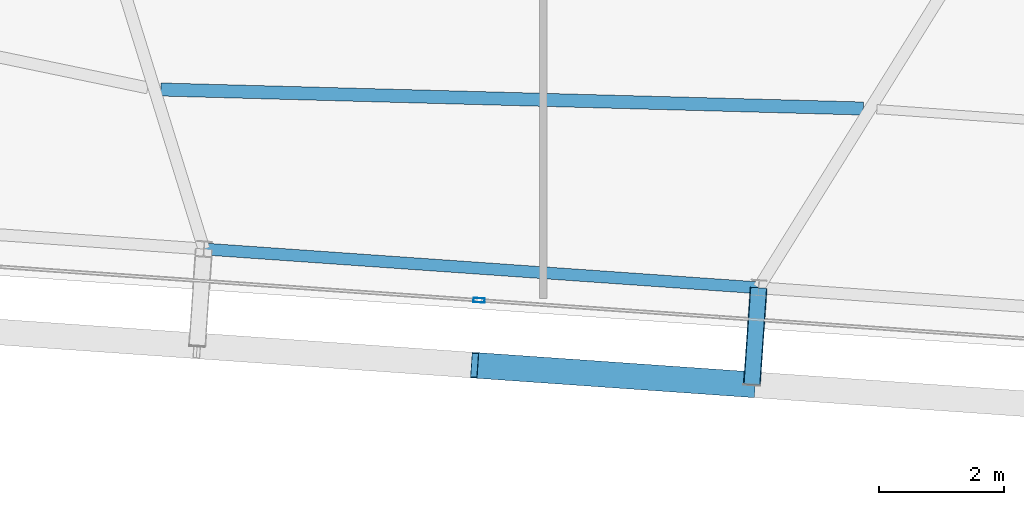
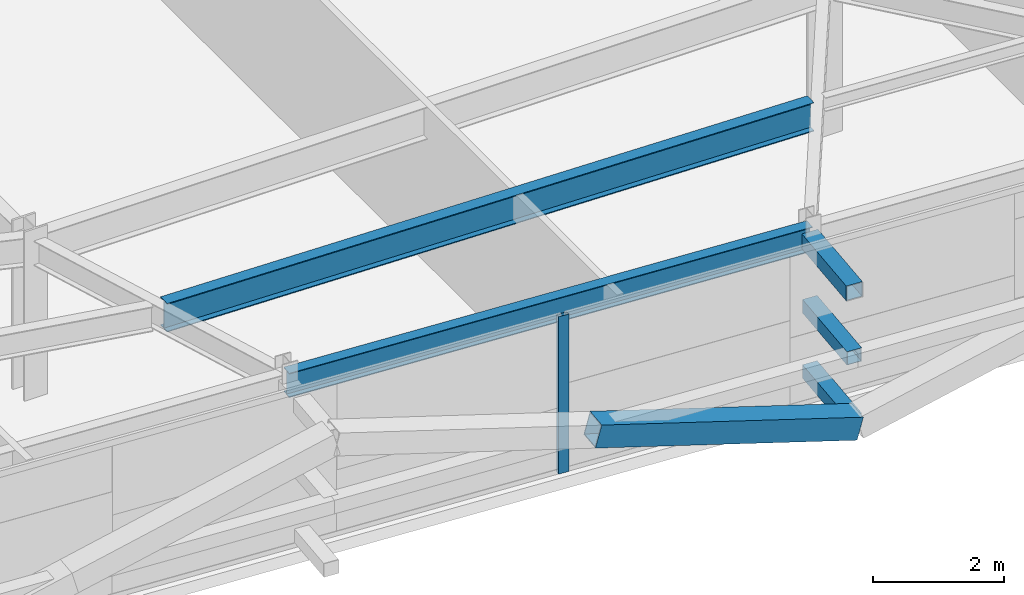
# One storey, part 9 of 39: 5 members, 2 beams, 1 element without a shape of its own.
"""IFC4 building model written with IfcOpenShell, lengths in metres."""

from ifc_helpers import new_model, si_unit, direction, frame, origin, origin_2d, place, context, subcontext, project, spatial, hollow_rectangle, i_section, extrude, source, transform, mapped, material, layer, layer_set, material_profile, profile_set, type_object, element, aggregate, save


model = new_model("IFC4")

# Units and contexts
model_context = context("Model", 3, precision=1e-05, world=origin(), true_north=direction((0.0, 1.0)))
body_context = subcontext(model_context, "Body", "Model", "MODEL_VIEW")
ifc_project = project(units=[si_unit("LENGTHUNIT", "METRE"), si_unit("AREAUNIT", "SQUARE_METRE"), si_unit("VOLUMEUNIT", "CUBIC_METRE"), si_unit("PLANEANGLEUNIT", "RADIAN"), si_unit("MASSUNIT", "GRAM", prefix="KILO")], contexts=[model_context])

# Site, building, storey
site_placement = place(None, origin())
site = spatial("IfcSite", under=ifc_project, at=site_placement, CompositionType="ELEMENT")
building_placement = place(site_placement, origin())
building = spatial("IfcBuilding", under=site, at=building_placement, Name="Taldren Reach Tower", CompositionType="ELEMENT")
storey_placement = place(building_placement, frame((0.0, 0.0, 148.75)))
storey = spatial("IfcBuildingStorey", under=building, at=storey_placement, Name="L45", CompositionType="ELEMENT", Elevation=148.75)

# Members
ifc_material_1 = material(Name="Steel Gr 450 (C450L0)", Category="steel")
ifc_material_profile_1 = material_profile(ifc_material_1, hollow_rectangle(XDim=0.27490234375, YDim=0.27490234375, WallThickness=0.00927734375, at=origin_2d()), Name="275x275x9.3SHS")
ifc_profile_set_1 = profile_set([ifc_material_profile_1], Name="Steel Gr 450 (C450L0)")
member_type_1 = type_object("IfcMemberType", Name="MB-TIE273", PredefinedType="STRUT", material=ifc_profile_set_1)
shared_shape_1 = source(origin(), body_context, "Body", "SweptSolid", [
    extrude(hollow_rectangle(XDim=0.27490234375, YDim=0.27490234375, WallThickness=0.00927734375, at=origin_2d()), origin(), (0.0, 0.0, 1.0), 1.550048828125),
])
member_1_placement = place(storey_placement, frame((38.438720703125, 3.480224609375, 2.64990234375), z_axis=(-0.06976957191, -0.99756313426, 0.0), x_axis=(0.99756313426, -0.06976957191, 0.0)))
element("IfcMember", 1, at=member_1_placement, inside=storey, type_object=member_type_1, Name="Exoskeleton diaphragm tie strut B3-S4 L45", PredefinedType="STRUT", context=body_context, shape_type="MappedRepresentation", body=[
    mapped(shared_shape_1, transform((0.0, 0.0, 0.0), scale=1.0)),
])
ifc_material_2 = material(Name="Steel Gr 350 (C350L0)", Category="steel")
ifc_material_profile_2 = material_profile(ifc_material_2, hollow_rectangle(XDim=0.25, YDim=0.25, WallThickness=0.010009765625, at=origin_2d()), Name="250x250x10.0SHS")
ifc_profile_set_2 = profile_set([ifc_material_profile_2], Name="Steel Gr 350 (C350L0)")
member_type_2 = type_object("IfcMemberType", Name="MB-POST250", PredefinedType="POST", material=ifc_profile_set_2)
shared_shape_2 = source(origin(), body_context, "Body", "SweptSolid", [
    extrude(hollow_rectangle(XDim=0.25, YDim=0.25, WallThickness=0.010009765625, at=origin_2d()), origin(), (0.0, 0.0, 1.0), 1.550048828125),
])
for number, where, z_axis, x_axis, name in (
    (2, (38.438720703125, 3.480224609375, 0.219970703125), (-0.06976957191, -0.99756313426, 0.0), (0.99756313426, -0.06976957191, 0.0), "Exoskeleton base diaphragm tie strut B3-S4 L45"),
    (3, (38.438720703125, 3.480224609375, 1.43505859375), (-0.06976957191, -0.99756313426, 0.0), (0.99756313426, -0.06976957191, 0.0), "Exoskeleton mid-tier diaphragm tie B3-S4 L45"),
):
    element("IfcMember", number, at=place(storey_placement, frame(where, z_axis=z_axis, x_axis=x_axis)), inside=storey, type_object=member_type_2, Name=name, PredefinedType="POST", context=body_context, shape_type="MappedRepresentation", body=[
        mapped(shared_shape_2, transform((0.0, 0.0, 0.0), scale=1.0)),
    ])

# Beams
ifc_material_3 = material(Name="Steel Gr 350 (350PLUS)", Category="steel")
ifc_material_profile_3 = material_profile(ifc_material_3, i_section(OverallWidth=0.18994140625, OverallDepth=0.4541015625, WebThickness=0.008544921875, FlangeThickness=0.0126953125, at=origin_2d()), Name="460UB67.1")
ifc_profile_set_3 = profile_set([ifc_material_profile_3], Name="Steel Gr 350 (350PLUS)")
beam_type_1 = type_object("IfcBeamType", Name="SP-UB460B", PredefinedType="SPANDREL", material=ifc_profile_set_3)
shared_shape_3 = source(origin(), body_context, "Body", "SweptSolid", [
    extrude(i_section(OverallWidth=0.18994140625, OverallDepth=0.4541015625, WebThickness=0.008544921875, FlangeThickness=0.0126953125, at=origin_2d()), origin(), (0.0, 0.0, 1.0), 8.880126953125),
])
beam_1_placement = place(storey_placement, frame((29.580322265625, 4.099609375, 2.702880859375), z_axis=(0.997564479639, -0.069750333063, 0.0), x_axis=(0.069750333063, 0.997564479639, 0.0)))
element("IfcBeam", 4, at=beam_1_placement, inside=storey, type_object=beam_type_1, Name="Perimeter spandrel B3 S3-S4 L45", PredefinedType="SPANDREL", context=body_context, shape_type="MappedRepresentation", body=[
    mapped(shared_shape_3, transform((0.0, 0.0, 0.0), scale=1.0)),
])
ifc_material_profile_4 = material_profile(ifc_material_3, i_section(OverallWidth=0.208984375, OverallDepth=0.532958984375, WebThickness=0.01025390625, FlangeThickness=0.015625, at=origin_2d()), Name="530UB92.4")
ifc_profile_set_4 = profile_set([ifc_material_profile_4], Name="Steel Gr 350 (350PLUS)")
beam_type_2 = type_object("IfcBeamType", Name="BM-UB530A", PredefinedType="BEAM", material=ifc_profile_set_4)
shared_shape_4 = source(origin(), body_context, "Body", "SweptSolid", [
    extrude(i_section(OverallWidth=0.208984375, OverallDepth=0.532958984375, WebThickness=0.01025390625, FlangeThickness=0.015625, at=origin_2d()), origin(), (0.0, 0.0, 1.0), 11.221923828125),
])
beam_2_placement = place(storey_placement, frame((28.890869140625, 6.64697265625, 2.66357421875), z_axis=(0.999633109536, -0.027085906272, 0.0), x_axis=(0.027085906272, 0.999633109536, 0.0)))
element("IfcBeam", 5, at=beam_2_placement, inside=storey, type_object=beam_type_2, Name="Secondary floor beam B3 J3 L45", PredefinedType="BEAM", context=body_context, shape_type="MappedRepresentation", body=[
    mapped(shared_shape_4, transform((0.0, 0.0, 0.0), scale=1.0)),
])

# Member
ifc_material_profile_5 = material_profile(ifc_material_1, hollow_rectangle(XDim=0.409912109375, YDim=0.409912109375, WallThickness=0.01611328125, at=origin_2d()), Name="410x410x16.0SHS")
ifc_profile_set_5 = profile_set([ifc_material_profile_5], Name="Steel Gr 450 (C450L0)")
member_type_3 = type_object("IfcMemberType", Name="MB-EXO406", PredefinedType="BRACE", material=ifc_profile_set_5)
shared_shape_5 = source(origin(), body_context, "Body", "SweptSolid", [
    extrude(hollow_rectangle(XDim=0.409912109375, YDim=0.409912109375, WallThickness=0.01611328125, at=origin_2d()), origin(), (0.0, 0.0, 1.0), 4.603271484375),
])
member_2_placement = place(storey_placement, frame((38.33056640625, 1.933837890625, 0.219970703125), z_axis=(-0.962182351074, 0.067302910567, 0.263961060594), x_axis=(-0.06977769246, -0.997562566276, 0.0)))
element("IfcMember", 6, at=member_2_placement, inside=storey, type_object=member_type_3, Name="Exoskeleton Diagrid Brace B3-S3 L45", PredefinedType="BRACE", context=body_context, shape_type="MappedRepresentation", body=[
    mapped(shared_shape_5, transform((0.0, 0.0, 0.0), scale=1.0)),
])

# Curtain wall, member
ifc_material_4 = material(Name="Aluminium and Low-E Glass Unitised System", Category="aluminium")
ifc_layer = layer(ifc_material_4, 0.159912109375)
ifc_layer_set = layer_set([ifc_layer], Name="Aluminium and Low-E Glass Unitised System")
curtain_wall_type = type_object("IfcCurtainWallType", Name="CW-SYS-4", PredefinedType="NOTDEFINED", material=ifc_layer_set)
curtain_wall_placement = place(storey_placement, origin())
curtain_wall = element("IfcCurtainWall", 7, at=curtain_wall_placement, inside=storey, type_object=curtain_wall_type, Name="Unitised curtain wall CW-L45-S", PredefinedType="NOTDEFINED")
ifc_material_5 = material(Name="Anodised Aluminium 6063-T6", Category="aluminium")
ifc_material_profile_6 = material_profile(ifc_material_5, hollow_rectangle(XDim=0.070068359375, YDim=0.179931640625, WallThickness=0.00390625, at=origin_2d()), Name="ALU-180x70x4RHS")
ifc_profile_set_6 = profile_set([ifc_material_profile_6], Name="Anodised Aluminium 6063-T6")
member_type_4 = type_object("IfcMemberType", Name="CW-MUL-180", PredefinedType="MULLION", material=ifc_profile_set_6)
shared_shape_6 = source(origin(), body_context, "Body", "SweptSolid", [
    extrude(hollow_rectangle(XDim=0.070068359375, YDim=0.179931640625, WallThickness=0.00390625, at=origin_2d()), origin(), (0.0, 0.0, 1.0), 2.929931640625),
])
member_3_placement = place(storey_placement, frame((33.973876953125, 3.281005859375, 0.0), z_axis=(0.0, 0.0, 1.0), x_axis=(0.06975651593, 0.99756404731, 0.0)))
member_3 = element("IfcMember", 8, at=member_3_placement, type_object=member_type_4, Name="CW-4 mullion 3", PredefinedType="MULLION", context=body_context, shape_type="MappedRepresentation", body=[
    mapped(shared_shape_6, transform((0.0, 0.0, 0.0), scale=1.0)),
])
aggregate(curtain_wall, [member_3])

save(model, "model.ifc")
